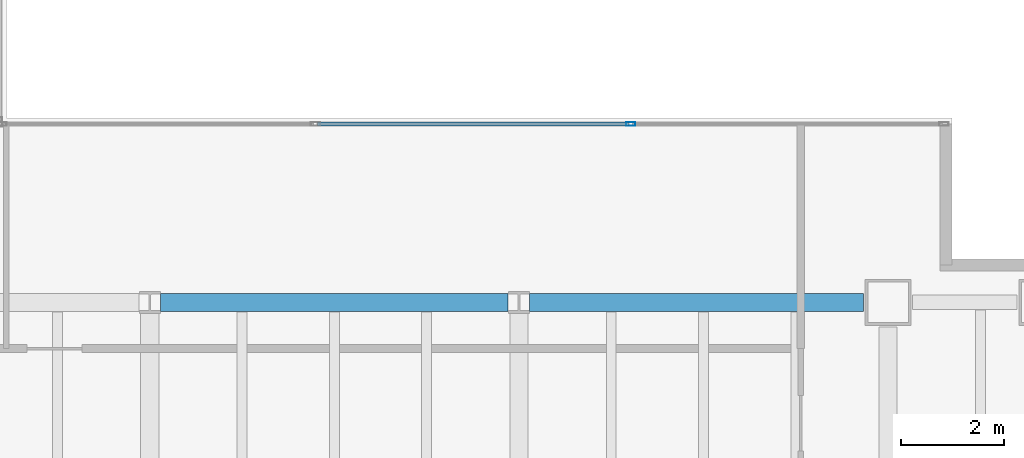
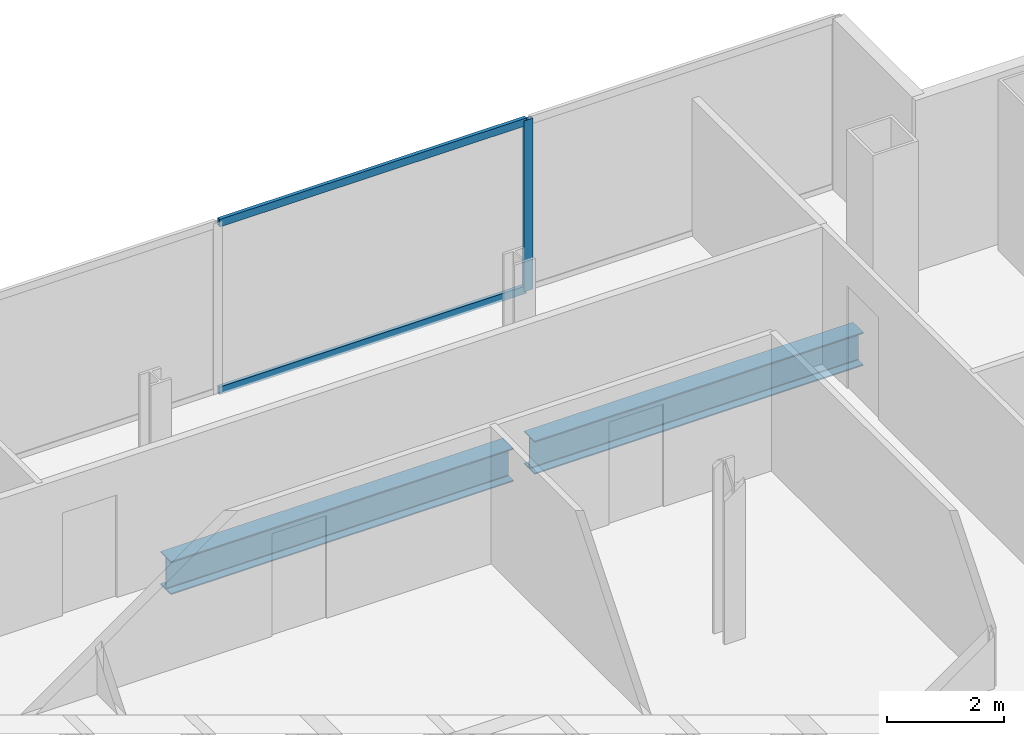
# One storey, part 14 of 23: 3 members, 2 beams, 1 element without a shape of its own.
"""IFC4 building model written with IfcOpenShell, lengths in metres."""

from ifc_helpers import new_model, si_unit, direction, frame, origin, origin_2d, place, context, subcontext, project, spatial, hollow_rectangle, i_section, extrude, material, material_profile, profile_set, type_object, element, aggregate, save


model = new_model("IFC4")

# Units and contexts
model_context = context("Model", 3, precision=1e-05, world=origin(), true_north=direction((0.0, 1.0)))
body_context = subcontext(model_context, "Body", "Model", "MODEL_VIEW")
ifc_project = project(units=[si_unit("LENGTHUNIT", "METRE"), si_unit("AREAUNIT", "SQUARE_METRE"), si_unit("VOLUMEUNIT", "CUBIC_METRE"), si_unit("PLANEANGLEUNIT", "RADIAN"), si_unit("MASSUNIT", "GRAM", prefix="KILO")], contexts=[model_context])

# Site, building, storey
site_placement = place(None, origin())
site = spatial("IfcSite", under=ifc_project, at=site_placement, CompositionType="ELEMENT")
building_placement = place(site_placement, origin())
building = spatial("IfcBuilding", under=site, at=building_placement, Name="Cobrela Telecom Tower", CompositionType="ELEMENT")
storey_placement = place(building_placement, frame((0.0, 0.0, 117.60009765625)))
storey = spatial("IfcBuildingStorey", under=building, at=storey_placement, Name="L29", CompositionType="ELEMENT", Elevation=117.60009765625)

# Beams
ifc_material_1 = material(Name="Steel ASTM A992 Grade 50", Category="steel")
ifc_material_profile_1 = material_profile(ifc_material_1, i_section(OverallWidth=0.35595703125, OverallDepth=0.696044921875, WebThickness=0.015380859375, FlangeThickness=0.024658203125, FilletRadius=0.01806640625, at=origin_2d()), Name="W27X146")
ifc_profile_set_1 = profile_set([ifc_material_profile_1], Name="Steel ASTM A992 Grade 50")
beam_type = type_object("IfcBeamType", Name="BM-GIRD-05", PredefinedType="USERDEFINED", material=ifc_profile_set_1)
beam_1_placement = place(storey_placement, frame((29.009521484375, 21.60009765625, -0.6181640625), z_axis=(1.0, 0.0, 0.0), x_axis=(0.0, 1.0, 0.0)))
element("IfcBeam", 1, at=beam_1_placement, inside=storey, type_object=beam_type, Name="L29 Primary Girder X20", ObjectType="GIRDER", PredefinedType="USERDEFINED", context=body_context, shape_type="SweptSolid", body=[
    extrude(i_section(OverallWidth=0.35595703125, OverallDepth=0.696044921875, WebThickness=0.015380859375, FlangeThickness=0.024658203125, FilletRadius=0.01806640625, at=origin_2d()), origin(), (0.0, 0.0, 1.0), 6.781005859375),
])
beam_2_placement = place(storey_placement, frame((36.20947265625, 21.60009765625, -0.6181640625), z_axis=(1.0, 0.0, 0.0), x_axis=(0.0, 1.0, 0.0)))
element("IfcBeam", 2, at=beam_2_placement, inside=storey, type_object=beam_type, Name="L29 Primary Girder X21", ObjectType="GIRDER", PredefinedType="USERDEFINED", context=body_context, shape_type="SweptSolid", body=[
    extrude(i_section(OverallWidth=0.35595703125, OverallDepth=0.696044921875, WebThickness=0.015380859375, FlangeThickness=0.024658203125, FilletRadius=0.01806640625, at=origin_2d()), origin(), (0.0, 0.0, 1.0), 6.510498046875),
])

# Curtain wall, members
ifc_material_2 = material(Name="Anodized Bronze Aluminium 6063-T6", Category="aluminium")
curtain_wall_type = type_object("IfcCurtainWallType", Name="CW-SYS-TEL", PredefinedType="USERDEFINED", material=ifc_material_2)
curtain_wall_placement = place(storey_placement, origin())
curtain_wall = element("IfcCurtainWall", 3, at=curtain_wall_placement, inside=storey, type_object=curtain_wall_type, Name="L29 Unitised Bronze Curtain Wall 11", ObjectType="UNITISED CURTAIN WALL", PredefinedType="USERDEFINED")
ifc_material_profile_2 = material_profile(ifc_material_2, hollow_rectangle(XDim=0.074951171875, YDim=0.179931640625, WallThickness=0.00390625, at=origin_2d()), Name="ALU 75x180x4")
ifc_profile_set_2 = profile_set([ifc_material_profile_2], Name="Anodized Bronze Aluminium 6063-T6")
member_type_1 = type_object("IfcMemberType", Name="CW-SYS-TEL-MUL", PredefinedType="MULLION", material=ifc_profile_set_2)
member_1_placement = place(storey_placement, frame((38.179931640625, 25.080078125, 0.0), z_axis=(0.0, 0.0, 1.0), x_axis=(0.0, 1.0, 0.0)))
member_1 = element("IfcMember", 4, at=member_1_placement, type_object=member_type_1, Name="CW-TEL mullion 3", PredefinedType="MULLION", context=body_context, shape_type="SweptSolid", body=[
    extrude(hollow_rectangle(XDim=0.074951171875, YDim=0.179931640625, WallThickness=0.00390625, at=origin_2d()), origin(), (0.0, 0.0, 1.0), 3.579833984375),
])
ifc_material_profile_3 = material_profile(ifc_material_2, hollow_rectangle(XDim=0.070068359375, YDim=0.159912109375, WallThickness=0.00390625, at=origin_2d()), Name="ALU 70x160x4")
ifc_profile_set_3 = profile_set([ifc_material_profile_3], Name="Anodized Bronze Aluminium 6063-T6")
member_type_2 = type_object("IfcMemberType", Name="CW-SYS-TEL-TRN", PredefinedType="USERDEFINED", material=ifc_profile_set_3)
member_2_placement = place(storey_placement, frame((32.0673828125, 25.080078125, 0.034912109375), z_axis=(1.0, 0.0, 0.0), x_axis=(0.0, 1.0, 0.0)))
member_2 = element("IfcMember", 5, at=member_2_placement, type_object=member_type_2, Name="CW-TEL transom 2.1", ObjectType="TRANSOM", PredefinedType="USERDEFINED", context=body_context, shape_type="SweptSolid", body=[
    extrude(hollow_rectangle(XDim=0.070068359375, YDim=0.159912109375, WallThickness=0.00390625, at=origin_2d()), origin(), (0.0, 0.0, 1.0), 6.0751953125),
])
member_3_placement = place(storey_placement, frame((32.0673828125, 25.080078125, 3.544921875), z_axis=(1.0, 0.0, 0.0), x_axis=(0.0, 1.0, 0.0)))
member_3 = element("IfcMember", 6, at=member_3_placement, type_object=member_type_2, Name="CW-TEL transom 2.2", ObjectType="TRANSOM", PredefinedType="USERDEFINED", context=body_context, shape_type="SweptSolid", body=[
    extrude(hollow_rectangle(XDim=0.070068359375, YDim=0.159912109375, WallThickness=0.00390625, at=origin_2d()), origin(), (0.0, 0.0, 1.0), 6.0751953125),
])
aggregate(curtain_wall, [member_1, member_2, member_3])

save(model, "model.ifc")
